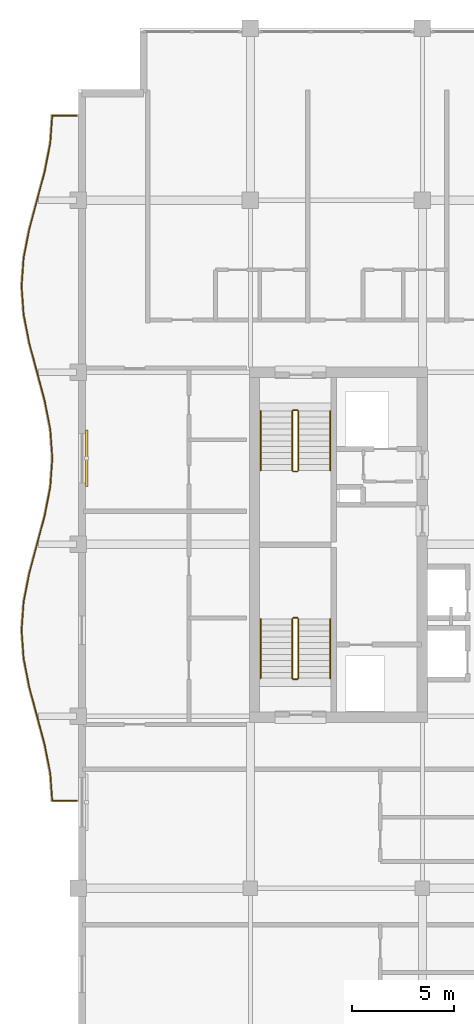
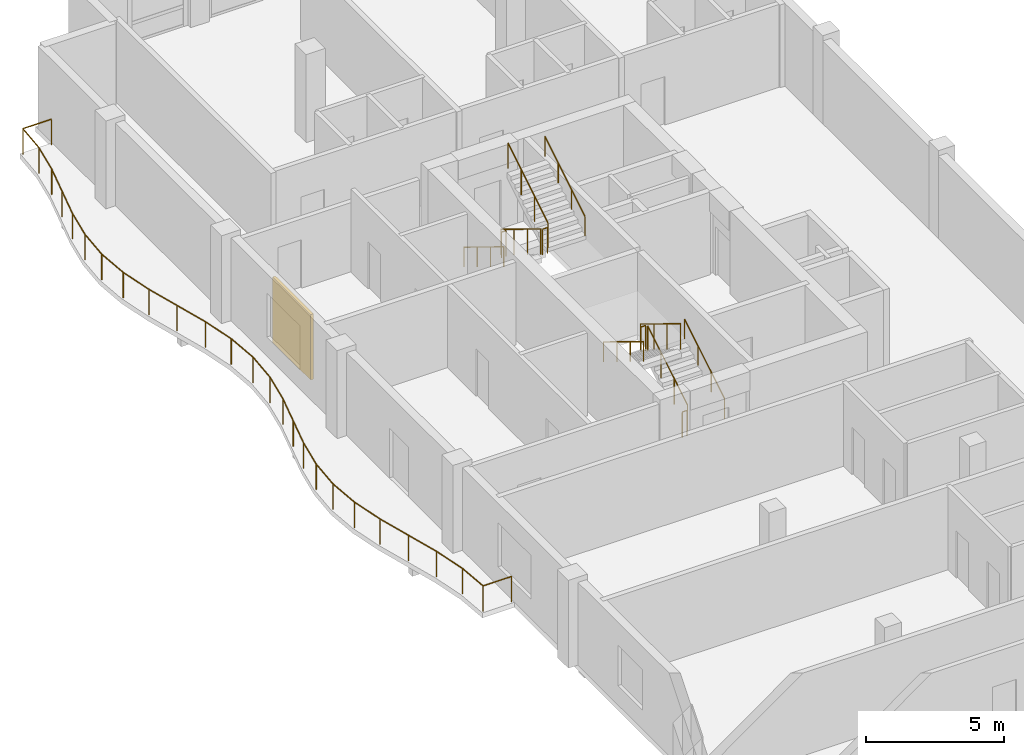
# One storey, part 17 of 17: 13 railings, 1 shading device.
"""IFC4 building model written with IfcOpenShell, lengths in metres."""

from ifc_helpers import new_model, si_unit, direction, frame, origin, origin_2d, place, context, subcontext, project, spatial, rectangle, circle, extrude, material, layer, layer_set, type_object, element, save


model = new_model("IFC4")

# Units and contexts
model_context = context("Model", 3, precision=1e-05, world=origin(), true_north=direction((0.0, 1.0)))
body_context = subcontext(model_context, "Body", "Model", "MODEL_VIEW")
ifc_project = project(units=[si_unit("LENGTHUNIT", "METRE"), si_unit("AREAUNIT", "SQUARE_METRE"), si_unit("VOLUMEUNIT", "CUBIC_METRE"), si_unit("PLANEANGLEUNIT", "RADIAN"), si_unit("MASSUNIT", "GRAM", prefix="KILO")], contexts=[model_context])

# Site, building, storey
site_placement = place(None, origin())
site = spatial("IfcSite", under=ifc_project, at=site_placement, CompositionType="ELEMENT")
building_placement = place(site_placement, origin())
building = spatial("IfcBuilding", under=site, at=building_placement, Name="Koriwani Terraces Tower", CompositionType="ELEMENT")
storey_placement = place(building_placement, frame((0.0, 0.0, 332.0)))
storey = spatial("IfcBuildingStorey", under=building, at=storey_placement, Name="L82", CompositionType="ELEMENT", Elevation=332.0)

# Railings
ifc_material_1 = material(Name="Steel ASTM A572 Grade 50", Category="steel")
railing_type_1 = type_object("IfcRailingType", Name="GUARD_BALUSTRADE_1150", PredefinedType="BALUSTRADE", material=ifc_material_1)
railing_1_placement = place(storey_placement, frame((8.320068359375, 37.8798828125, 0.0)))
element("IfcRailing", 1, at=railing_1_placement, inside=storey, type_object=railing_type_1, Name="L82 Balcony Perimeter Safety Balustrade (W)", PredefinedType="BALUSTRADE", context=body_context, shape_type="SweptSolid", body=[
    extrude(circle(Radius=0.02392578125, at=origin_2d()), frame((0.0, 0.0, 1.1259765625), z_axis=(-1.0, 0.0, 0.0), x_axis=(0.0, -1.0, 0.0)), (0.0, 0.0, 1.0), 1.195556640625),
    extrude(circle(Radius=0.02392578125, at=origin_2d()), frame((-1.195556640625, 0.0, 1.1259765625), z_axis=(-0.071910212079, 0.997411109522, 0.0), x_axis=(-0.997411109522, -0.071910212079, 0.0)), (0.0, 0.0, 1.0), 1.334228515625),
    extrude(circle(Radius=0.02392578125, at=origin_2d()), frame((-1.29150390625, 1.330810546875, 1.1259765625), z_axis=(-0.192218357442, 0.981352180954, 0.0), x_axis=(-0.981352180954, -0.192218357442, 0.0)), (0.0, 0.0, 1.0), 1.43408203125),
    extrude(circle(Radius=0.02392578125, at=origin_2d()), frame((-1.567138671875, 2.738037109375, 1.1259765625), z_axis=(-0.258710827923, 0.965954816498, 0.0), x_axis=(-0.965954816498, -0.258710827923, 0.0)), (0.0, 0.0, 1.0), 2.89892578125),
    extrude(circle(Radius=0.02392578125, at=origin_2d()), frame((-2.317138671875, 5.538330078125, 1.1259765625), z_axis=(-0.19237547223, 0.981321393675, 0.0), x_axis=(-0.981321393675, -0.19237547223, 0.0)), (0.0, 0.0, 1.0), 1.4189453125),
    extrude(circle(Radius=0.02392578125, at=origin_2d()), frame((-2.590087890625, 6.9306640625, 1.1259765625), z_axis=(-0.07168297904, 0.997427466293, 0.0), x_axis=(-0.997427466293, -0.07168297904, 0.0)), (0.0, 0.0, 1.0), 1.39306640625),
    extrude(circle(Radius=0.02392578125, at=origin_2d()), frame((-2.68994140625, 8.320068359375, 1.1259765625), z_axis=(0.07168297904, 0.997427466293, 0.0), x_axis=(-0.997427466293, 0.07168297904, 0.0)), (0.0, 0.0, 1.0), 1.39306640625),
    extrude(circle(Radius=0.02392578125, at=origin_2d()), frame((-2.590087890625, 9.70947265625, 1.1259765625), z_axis=(0.192342993657, 0.981327760125, 0.0), x_axis=(-0.981327760125, 0.192342993657, 0.0)), (0.0, 0.0, 1.0), 1.419189453125),
    extrude(circle(Radius=0.02392578125, at=origin_2d()), frame((-2.317138671875, 11.10205078125, 1.1259765625), z_axis=(0.258731875344, 0.96594917914, 0.0), x_axis=(-0.96594917914, 0.258731875344, 0.0)), (0.0, 0.0, 1.0), 2.898681640625),
    extrude(circle(Radius=0.02392578125, at=origin_2d()), frame((-1.567138671875, 13.902099609375, 1.1259765625), z_axis=(0.192186246762, 0.981358469957, 0.0), x_axis=(-0.981358469957, 0.192186246762, 0.0)), (0.0, 0.0, 1.0), 1.434326171875),
    extrude(circle(Radius=0.02392578125, at=origin_2d()), frame((-1.29150390625, 15.3095703125, 1.1259765625), z_axis=(0.071639614309, 0.997430581876, 0.0), x_axis=(-0.997430581876, 0.071639614309, 0.0)), (0.0, 0.0, 1.0), 1.414306640625),
    extrude(circle(Radius=0.02392578125, at=origin_2d()), frame((-1.190185546875, 16.72021484375, 1.1259765625), z_axis=(-0.071651951482, 0.997429695692, 0.0), x_axis=(-0.997429695692, -0.071651951482, 0.0)), (0.0, 0.0, 1.0), 1.4140625),
    extrude(circle(Radius=0.02392578125, at=origin_2d()), frame((-1.29150390625, 18.130615234375, 1.1259765625), z_axis=(-0.192186246762, 0.981358469957, 0.0), x_axis=(-0.981358469957, -0.192186246762, 0.0)), (0.0, 0.0, 1.0), 1.434326171875),
    extrude(circle(Radius=0.02392578125, at=origin_2d()), frame((-1.567138671875, 19.5380859375, 1.1259765625), z_axis=(-0.258731875344, 0.96594917914, 0.0), x_axis=(-0.96594917914, -0.258731875344, 0.0)), (0.0, 0.0, 1.0), 2.898681640625),
    extrude(circle(Radius=0.02392578125, at=origin_2d()), frame((-2.317138671875, 22.338134765625, 1.1259765625), z_axis=(-0.192342993657, 0.981327760125, 0.0), x_axis=(-0.981327760125, -0.192342993657, 0.0)), (0.0, 0.0, 1.0), 1.419189453125),
    extrude(circle(Radius=0.02392578125, at=origin_2d()), frame((-2.590087890625, 23.730712890625, 1.1259765625), z_axis=(-0.07168297904, 0.997427466293, 0.0), x_axis=(-0.997427466293, -0.07168297904, 0.0)), (0.0, 0.0, 1.0), 1.39306640625),
    extrude(circle(Radius=0.02392578125, at=origin_2d()), frame((-2.68994140625, 25.1201171875, 1.1259765625), z_axis=(0.07168297904, 0.997427466293, 0.0), x_axis=(-0.997427466293, 0.07168297904, 0.0)), (0.0, 0.0, 1.0), 1.39306640625),
    extrude(circle(Radius=0.02392578125, at=origin_2d()), frame((-2.590087890625, 26.509521484375, 1.1259765625), z_axis=(0.192342993657, 0.981327760125, 0.0), x_axis=(-0.981327760125, 0.192342993657, 0.0)), (0.0, 0.0, 1.0), 1.419189453125),
    extrude(circle(Radius=0.02392578125, at=origin_2d()), frame((-2.317138671875, 27.902099609375, 1.1259765625), z_axis=(0.258731875344, 0.96594917914, 0.0), x_axis=(-0.96594917914, 0.258731875344, 0.0)), (0.0, 0.0, 1.0), 2.898681640625),
    extrude(circle(Radius=0.02392578125, at=origin_2d()), frame((-1.567138671875, 30.7021484375, 1.1259765625), z_axis=(0.192186246762, 0.981358469957, 0.0), x_axis=(-0.981358469957, 0.192186246762, 0.0)), (0.0, 0.0, 1.0), 1.434326171875),
    extrude(circle(Radius=0.02392578125, at=origin_2d()), frame((-1.29150390625, 32.109619140625, 1.1259765625), z_axis=(0.071923338365, 0.997410163072, 0.0), x_axis=(-0.997410163072, 0.071923338365, 0.0)), (0.0, 0.0, 1.0), 1.333984375),
    extrude(circle(Radius=0.02392578125, at=origin_2d()), frame((-1.195556640625, 33.440185546875, 1.1259765625), z_axis=(1.0, 0.0, 0.0), x_axis=(0.0, 1.0, 0.0)), (0.0, 0.0, 1.0), 1.195556640625),
    extrude(circle(Radius=0.02099609375, at=origin_2d()), origin(), (0.0, 0.0, 1.0), 1.101806640625),
    extrude(circle(Radius=0.02099609375, at=origin_2d()), frame((-1.195556640625, 0.0, 0.0)), (0.0, 0.0, 1.0), 1.101806640625),
    extrude(circle(Radius=0.02099609375, at=origin_2d()), frame((-1.29150390625, 1.330810546875, 0.0)), (0.0, 0.0, 1.0), 1.101806640625),
    extrude(circle(Radius=0.02099609375, at=origin_2d()), frame((-1.567138671875, 2.738037109375, 0.0)), (0.0, 0.0, 1.0), 1.101806640625),
    extrude(circle(Radius=0.02099609375, at=origin_2d()), frame((-1.942138671875, 4.13818359375, 0.0)), (0.0, 0.0, 1.0), 1.101806640625),
    extrude(circle(Radius=0.02099609375, at=origin_2d()), frame((-2.317138671875, 5.538330078125, 0.0)), (0.0, 0.0, 1.0), 1.101806640625),
    extrude(circle(Radius=0.02099609375, at=origin_2d()), frame((-2.590087890625, 6.9306640625, 0.0)), (0.0, 0.0, 1.0), 1.101806640625),
    extrude(circle(Radius=0.02099609375, at=origin_2d()), frame((-2.68994140625, 8.320068359375, 0.0)), (0.0, 0.0, 1.0), 1.101806640625),
    extrude(circle(Radius=0.02099609375, at=origin_2d()), frame((-2.590087890625, 9.70947265625, 0.0)), (0.0, 0.0, 1.0), 1.101806640625),
    extrude(circle(Radius=0.02099609375, at=origin_2d()), frame((-2.317138671875, 11.10205078125, 0.0)), (0.0, 0.0, 1.0), 1.101806640625),
    extrude(circle(Radius=0.02099609375, at=origin_2d()), frame((-1.942138671875, 12.501953125, 0.0)), (0.0, 0.0, 1.0), 1.101806640625),
    extrude(circle(Radius=0.02099609375, at=origin_2d()), frame((-1.567138671875, 13.902099609375, 0.0)), (0.0, 0.0, 1.0), 1.101806640625),
    extrude(circle(Radius=0.02099609375, at=origin_2d()), frame((-1.29150390625, 15.3095703125, 0.0)), (0.0, 0.0, 1.0), 1.101806640625),
    extrude(circle(Radius=0.02099609375, at=origin_2d()), frame((-1.190185546875, 16.72021484375, 0.0)), (0.0, 0.0, 1.0), 1.101806640625),
    extrude(circle(Radius=0.02099609375, at=origin_2d()), frame((-1.29150390625, 18.130615234375, 0.0)), (0.0, 0.0, 1.0), 1.101806640625),
    extrude(circle(Radius=0.02099609375, at=origin_2d()), frame((-1.567138671875, 19.5380859375, 0.0)), (0.0, 0.0, 1.0), 1.101806640625),
    extrude(circle(Radius=0.02099609375, at=origin_2d()), frame((-1.942138671875, 20.93798828125, 0.0)), (0.0, 0.0, 1.0), 1.101806640625),
    extrude(circle(Radius=0.02099609375, at=origin_2d()), frame((-2.317138671875, 22.338134765625, 0.0)), (0.0, 0.0, 1.0), 1.101806640625),
    extrude(circle(Radius=0.02099609375, at=origin_2d()), frame((-2.590087890625, 23.730712890625, 0.0)), (0.0, 0.0, 1.0), 1.101806640625),
    extrude(circle(Radius=0.02099609375, at=origin_2d()), frame((-2.68994140625, 25.1201171875, 0.0)), (0.0, 0.0, 1.0), 1.101806640625),
    extrude(circle(Radius=0.02099609375, at=origin_2d()), frame((-2.590087890625, 26.509521484375, 0.0)), (0.0, 0.0, 1.0), 1.101806640625),
    extrude(circle(Radius=0.02099609375, at=origin_2d()), frame((-2.317138671875, 27.902099609375, 0.0)), (0.0, 0.0, 1.0), 1.101806640625),
    extrude(circle(Radius=0.02099609375, at=origin_2d()), frame((-1.942138671875, 29.30224609375, 0.0)), (0.0, 0.0, 1.0), 1.101806640625),
    extrude(circle(Radius=0.02099609375, at=origin_2d()), frame((-1.567138671875, 30.7021484375, 0.0)), (0.0, 0.0, 1.0), 1.101806640625),
    extrude(circle(Radius=0.02099609375, at=origin_2d()), frame((-1.29150390625, 32.109619140625, 0.0)), (0.0, 0.0, 1.0), 1.101806640625),
    extrude(circle(Radius=0.02099609375, at=origin_2d()), frame((-1.195556640625, 33.440185546875, 0.0)), (0.0, 0.0, 1.0), 1.101806640625),
    extrude(circle(Radius=0.02099609375, at=origin_2d()), frame((0.0, 33.440185546875, 0.0)), (0.0, 0.0, 1.0), 1.101806640625),
])
railing_type_2 = type_object("IfcRailingType", Name="GUARD_STAIR_WELL_1120", PredefinedType="GUARDRAIL", material=ifc_material_1)
railing_2_placement = place(storey_placement, frame((19.14990234375, 43.85009765625, 0.17724609375)))
element("IfcRailing", 2, at=railing_2_placement, inside=storey, type_object=railing_type_2, Name="L82 ST-W1 stair guard 1", PredefinedType="GUARDRAIL", context=body_context, shape_type="SweptSolid", body=[
    extrude(circle(Radius=0.02392578125, at=origin_2d()), frame((0.0, 0.0, 1.1259765625), z_axis=(0.0, 0.853210801645, 0.521566225858), x_axis=(-1.0, 0.0, 0.0)), (0.0, 0.0, 1.0), 3.39892578125),
    extrude(circle(Radius=0.02099609375, at=origin_2d()), origin(), (0.0, 0.0, 1.0), 1.101806640625),
    extrude(circle(Radius=0.02099609375, at=origin_2d()), frame((0.0, 0.966552734375, 0.5908203125)), (0.0, 0.0, 1.0), 1.101806640625),
    extrude(circle(Radius=0.02099609375, at=origin_2d()), frame((0.0, 1.933349609375, 1.181884765625)), (0.0, 0.0, 1.0), 1.101806640625),
    extrude(circle(Radius=0.02099609375, at=origin_2d()), frame((0.0, 2.89990234375, 1.772705078125)), (0.0, 0.0, 1.0), 1.101806640625),
])
railing_3_placement = place(storey_placement, frame((19.10009765625, 46.800048828125, 1.949951171875)))
element("IfcRailing", 3, at=railing_3_placement, inside=storey, type_object=railing_type_2, Name="L82 ST-W1 stair guard 2", PredefinedType="GUARDRAIL", context=body_context, shape_type="SweptSolid", body=[
    extrude(circle(Radius=0.02392578125, at=origin_2d()), frame((0.0, 0.0, 1.1259765625), z_axis=(-1.0, 0.0, 0.0), x_axis=(0.0, -1.0, 0.0)), (0.0, 0.0, 1.0), 0.2001953125),
    extrude(circle(Radius=0.02099609375, at=origin_2d()), origin(), (0.0, 0.0, 1.0), 1.101806640625),
    extrude(circle(Radius=0.02099609375, at=origin_2d()), frame((-0.2001953125, 0.0, 0.0)), (0.0, 0.0, 1.0), 1.101806640625),
])
railing_4_placement = place(storey_placement, frame((18.85009765625, 46.75, 2.127197265625)))
element("IfcRailing", 4, at=railing_4_placement, inside=storey, type_object=railing_type_2, Name="L82 ST-W1 stair guard 3", PredefinedType="GUARDRAIL", context=body_context, shape_type="SweptSolid", body=[
    extrude(circle(Radius=0.02392578125, at=origin_2d()), frame((0.0, 0.0, 1.1259765625), z_axis=(0.0, -0.853210801645, 0.521566225858), x_axis=(1.0, 0.0, 0.0)), (0.0, 0.0, 1.0), 3.39892578125),
    extrude(circle(Radius=0.02099609375, at=origin_2d()), origin(), (0.0, 0.0, 1.0), 1.101806640625),
    extrude(circle(Radius=0.02099609375, at=origin_2d()), frame((0.0, -0.966552734375, 0.5908203125)), (0.0, 0.0, 1.0), 1.101806640625),
    extrude(circle(Radius=0.02099609375, at=origin_2d()), frame((0.0, -1.933349609375, 1.181884765625)), (0.0, 0.0, 1.0), 1.101806640625),
    extrude(circle(Radius=0.02099609375, at=origin_2d()), frame((0.0, -2.89990234375, 1.772705078125)), (0.0, 0.0, 1.0), 1.101806640625),
])
railing_5_placement = place(storey_placement, frame((19.10009765625, 43.800048828125, 0.0)))
element("IfcRailing", 5, at=railing_5_placement, inside=storey, type_object=railing_type_2, Name="L82 ST-W1 stair guard 4", PredefinedType="GUARDRAIL", context=body_context, shape_type="SweptSolid", body=[
    extrude(circle(Radius=0.02392578125, at=origin_2d()), frame((0.0, 0.0, 1.1259765625), z_axis=(-1.0, 0.0, 0.0), x_axis=(0.0, -1.0, 0.0)), (0.0, 0.0, 1.0), 0.2001953125),
    extrude(circle(Radius=0.02099609375, at=origin_2d()), origin(), (0.0, 0.0, 1.0), 1.101806640625),
    extrude(circle(Radius=0.02099609375, at=origin_2d()), frame((-0.2001953125, 0.0, 0.0)), (0.0, 0.0, 1.0), 1.101806640625),
])
railing_6_placement = place(storey_placement, frame((18.85009765625, 56.89990234375, 0.17724609375)))
element("IfcRailing", 6, at=railing_6_placement, inside=storey, type_object=railing_type_2, Name="L82 ST-W2 stair guard 1", PredefinedType="GUARDRAIL", context=body_context, shape_type="SweptSolid", body=[
    extrude(circle(Radius=0.02392578125, at=origin_2d()), frame((0.0, 0.0, 1.1259765625), z_axis=(0.0, -0.853210801645, 0.521566225858), x_axis=(1.0, 0.0, 0.0)), (0.0, 0.0, 1.0), 3.39892578125),
    extrude(circle(Radius=0.02099609375, at=origin_2d()), origin(), (0.0, 0.0, 1.0), 1.101806640625),
    extrude(circle(Radius=0.02099609375, at=origin_2d()), frame((0.0, -0.966552734375, 0.5908203125)), (0.0, 0.0, 1.0), 1.101806640625),
    extrude(circle(Radius=0.02099609375, at=origin_2d()), frame((0.0, -1.933349609375, 1.181884765625)), (0.0, 0.0, 1.0), 1.101806640625),
    extrude(circle(Radius=0.02099609375, at=origin_2d()), frame((0.0, -2.89990234375, 1.772705078125)), (0.0, 0.0, 1.0), 1.101806640625),
])
railing_7_placement = place(storey_placement, frame((18.89990234375, 53.949951171875, 1.949951171875)))
element("IfcRailing", 7, at=railing_7_placement, inside=storey, type_object=railing_type_2, Name="L82 ST-W2 stair guard 2", PredefinedType="GUARDRAIL", context=body_context, shape_type="SweptSolid", body=[
    extrude(circle(Radius=0.02392578125, at=origin_2d()), frame((0.0, 0.0, 1.1259765625), z_axis=(1.0, 0.0, 0.0), x_axis=(0.0, 1.0, 0.0)), (0.0, 0.0, 1.0), 0.2001953125),
    extrude(circle(Radius=0.02099609375, at=origin_2d()), origin(), (0.0, 0.0, 1.0), 1.101806640625),
    extrude(circle(Radius=0.02099609375, at=origin_2d()), frame((0.2001953125, 0.0, 0.0)), (0.0, 0.0, 1.0), 1.101806640625),
])
railing_8_placement = place(storey_placement, frame((19.14990234375, 54.0, 2.127197265625)))
element("IfcRailing", 8, at=railing_8_placement, inside=storey, type_object=railing_type_2, Name="L82 ST-W2 stair guard 3", PredefinedType="GUARDRAIL", context=body_context, shape_type="SweptSolid", body=[
    extrude(circle(Radius=0.02392578125, at=origin_2d()), frame((0.0, 0.0, 1.1259765625), z_axis=(0.0, 0.853210801645, 0.521566225858), x_axis=(-1.0, 0.0, 0.0)), (0.0, 0.0, 1.0), 3.39892578125),
    extrude(circle(Radius=0.02099609375, at=origin_2d()), origin(), (0.0, 0.0, 1.0), 1.101806640625),
    extrude(circle(Radius=0.02099609375, at=origin_2d()), frame((0.0, 0.966552734375, 0.5908203125)), (0.0, 0.0, 1.0), 1.101806640625),
    extrude(circle(Radius=0.02099609375, at=origin_2d()), frame((0.0, 1.933349609375, 1.181884765625)), (0.0, 0.0, 1.0), 1.101806640625),
    extrude(circle(Radius=0.02099609375, at=origin_2d()), frame((0.0, 2.89990234375, 1.772705078125)), (0.0, 0.0, 1.0), 1.101806640625),
])
railing_9_placement = place(storey_placement, frame((18.89990234375, 56.949951171875, 0.0)))
element("IfcRailing", 9, at=railing_9_placement, inside=storey, type_object=railing_type_2, Name="L82 ST-W2 stair guard 4", PredefinedType="GUARDRAIL", context=body_context, shape_type="SweptSolid", body=[
    extrude(circle(Radius=0.02392578125, at=origin_2d()), frame((0.0, 0.0, 1.1259765625), z_axis=(1.0, 0.0, 0.0), x_axis=(0.0, 1.0, 0.0)), (0.0, 0.0, 1.0), 0.2001953125),
    extrude(circle(Radius=0.02099609375, at=origin_2d()), origin(), (0.0, 0.0, 1.0), 1.101806640625),
    extrude(circle(Radius=0.02099609375, at=origin_2d()), frame((0.2001953125, 0.0, 0.0)), (0.0, 0.0, 1.0), 1.101806640625),
])
railing_type_3 = type_object("IfcRailingType", Name="HANDRAIL_STAIR_920", PredefinedType="HANDRAIL", material=ifc_material_1)
railing_10_placement = place(storey_placement, frame((20.699951171875, 43.85009765625, 0.17724609375)))
element("IfcRailing", 10, at=railing_10_placement, inside=storey, type_object=railing_type_3, Name="L82 ST-W1 stair handrail 1", PredefinedType="HANDRAIL", context=body_context, shape_type="SweptSolid", body=[
    extrude(circle(Radius=0.02392578125, at=origin_2d()), frame((0.0, 0.0, 0.8759765625), z_axis=(0.0, 0.853210801645, 0.521566225858), x_axis=(-1.0, 0.0, 0.0)), (0.0, 0.0, 1.0), 3.39892578125),
    extrude(circle(Radius=0.02099609375, at=origin_2d()), origin(), (0.0, 0.0, 1.0), 0.851806640625),
    extrude(circle(Radius=0.02099609375, at=origin_2d()), frame((0.0, 0.966552734375, 0.5908203125)), (0.0, 0.0, 1.0), 0.851806640625),
    extrude(circle(Radius=0.02099609375, at=origin_2d()), frame((0.0, 1.933349609375, 1.181884765625)), (0.0, 0.0, 1.0), 0.851806640625),
    extrude(circle(Radius=0.02099609375, at=origin_2d()), frame((0.0, 2.89990234375, 1.772705078125)), (0.0, 0.0, 1.0), 0.851806640625),
])
for number, where, name in (
    (11, (17.300048828125, 46.75, 2.127197265625), "L82 ST-W1 stair handrail 2"),
    (12, (17.300048828125, 56.89990234375, 0.17724609375), "L82 ST-W2 stair handrail 1"),
):
    element("IfcRailing", number, at=place(storey_placement, frame(where)), inside=storey, type_object=railing_type_3, Name=name, PredefinedType="HANDRAIL", context=body_context, shape_type="SweptSolid", body=[
        extrude(circle(Radius=0.02392578125, at=origin_2d()), frame((0.0, 0.0, 0.8759765625), z_axis=(0.0, -0.853210801645, 0.521566225858), x_axis=(1.0, 0.0, 0.0)), (0.0, 0.0, 1.0), 3.39892578125),
        extrude(circle(Radius=0.02099609375, at=origin_2d()), origin(), (0.0, 0.0, 1.0), 0.851806640625),
        extrude(circle(Radius=0.02099609375, at=origin_2d()), frame((0.0, -0.966552734375, 0.5908203125)), (0.0, 0.0, 1.0), 0.851806640625),
        extrude(circle(Radius=0.02099609375, at=origin_2d()), frame((0.0, -1.933349609375, 1.181884765625)), (0.0, 0.0, 1.0), 0.851806640625),
        extrude(circle(Radius=0.02099609375, at=origin_2d()), frame((0.0, -2.89990234375, 1.772705078125)), (0.0, 0.0, 1.0), 0.851806640625),
    ])
railing_11_placement = place(storey_placement, frame((20.699951171875, 54.0, 2.127197265625)))
element("IfcRailing", 13, at=railing_11_placement, inside=storey, type_object=railing_type_3, Name="L82 ST-W2 stair handrail 2", PredefinedType="HANDRAIL", context=body_context, shape_type="SweptSolid", body=[
    extrude(circle(Radius=0.02392578125, at=origin_2d()), frame((0.0, 0.0, 0.8759765625), z_axis=(0.0, 0.853210801645, 0.521566225858), x_axis=(-1.0, 0.0, 0.0)), (0.0, 0.0, 1.0), 3.39892578125),
    extrude(circle(Radius=0.02099609375, at=origin_2d()), origin(), (0.0, 0.0, 1.0), 0.851806640625),
    extrude(circle(Radius=0.02099609375, at=origin_2d()), frame((0.0, 0.966552734375, 0.5908203125)), (0.0, 0.0, 1.0), 0.851806640625),
    extrude(circle(Radius=0.02099609375, at=origin_2d()), frame((0.0, 1.933349609375, 1.181884765625)), (0.0, 0.0, 1.0), 0.851806640625),
    extrude(circle(Radius=0.02099609375, at=origin_2d()), frame((0.0, 2.89990234375, 1.772705078125)), (0.0, 0.0, 1.0), 0.851806640625),
])

# Shading device
ifc_material_2 = material(Name="Extruded Terracotta Clay", Category="masonry")
ifc_layer = layer(ifc_material_2, 0.1201171875, Name="Extruded Terracotta Clay")
ifc_layer_set = layer_set([ifc_layer], Name="Extruded Terracotta Clay")
shading_device_type = type_object("IfcShadingDeviceType", Name="TERRACOTTA_BAGUETTE_SCREEN_2800", PredefinedType="USERDEFINED", material=ifc_layer_set)
shading_device_placement = place(storey_placement, frame((8.804931640625, 54.60009765625, 0.385009765625), z_axis=(0.0, 0.0, 1.0), x_axis=(0.0, 1.0, 0.0)))
element("IfcShadingDevice", 14, at=shading_device_placement, inside=storey, type_object=shading_device_type, Name="L82 Extruded Terracotta Baguette Screen (W-15)", ObjectType="BAGUETTE", PredefinedType="USERDEFINED", context=body_context, shape_type="SweptSolid", body=[
    extrude(rectangle(XDim=2.760009765625, YDim=0.1201171875, at=origin_2d()), origin(), (0.0, 0.0, 1.0), 2.89990234375),
])

save(model, "model.ifc")
